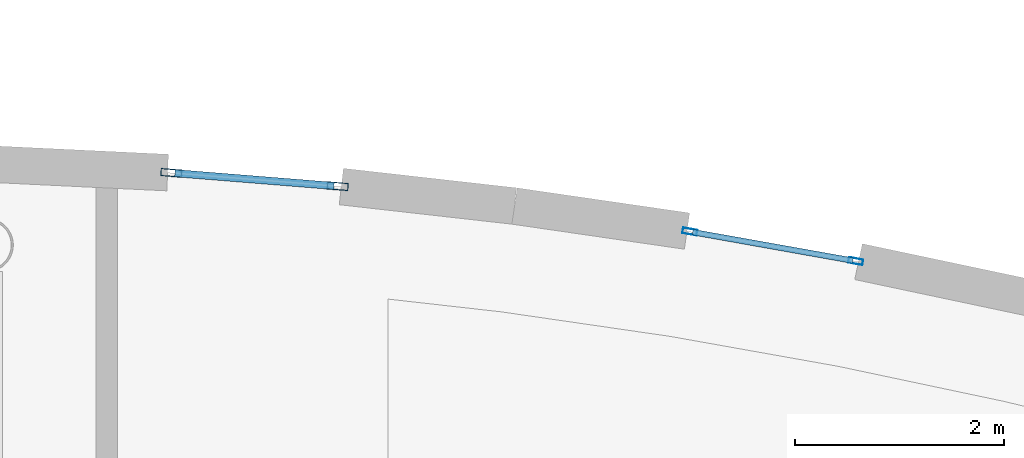
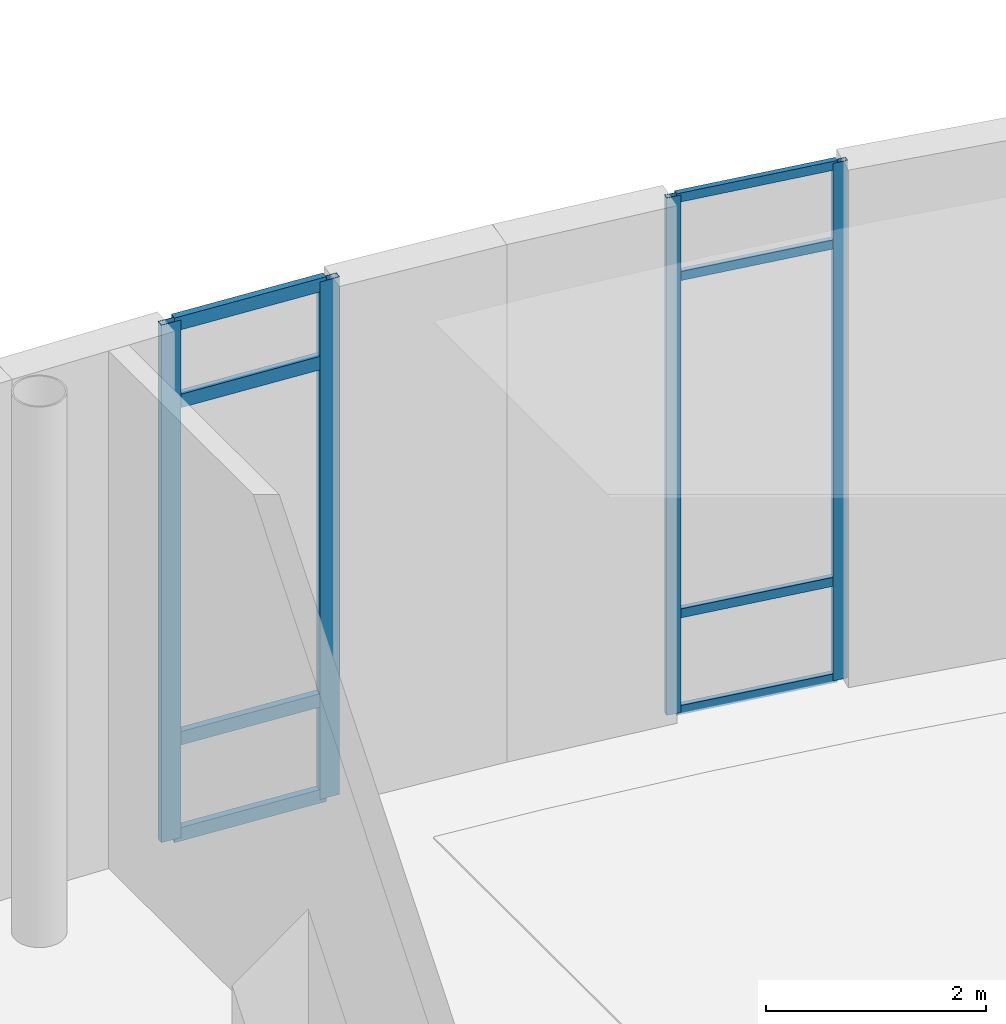
# One storey, part 25 of 85: 12 members, 2 elements without a shape of their own.
"""IFC4 building model written with IfcOpenShell, lengths in metres."""

from ifc_helpers import new_model, si_unit, direction, frame, origin, origin_2d, place, context, subcontext, project, spatial, hollow_rectangle, extrude, material, layer, layer_set, material_profile, profile_set, type_object, element, aggregate, save


model = new_model("IFC4")

# Units and contexts
model_context = context("Model", 3, precision=1e-05, world=origin(), true_north=direction((0.0, 1.0)))
body_context = subcontext(model_context, "Body", "Model", "MODEL_VIEW")
ifc_project = project(units=[si_unit("LENGTHUNIT", "METRE"), si_unit("AREAUNIT", "SQUARE_METRE"), si_unit("VOLUMEUNIT", "CUBIC_METRE"), si_unit("PLANEANGLEUNIT", "RADIAN"), si_unit("MASSUNIT", "GRAM", prefix="KILO"), si_unit("THERMODYNAMICTEMPERATUREUNIT", "KELVIN")], contexts=[model_context])

# Site, building, storey
site_placement = place(None, origin())
site = spatial("IfcSite", under=ifc_project, at=site_placement, CompositionType="ELEMENT")
building_placement = place(site_placement, origin())
building = spatial("IfcBuilding", under=site, at=building_placement, Name="Lustrewick Department Store", CompositionType="ELEMENT")
storey_placement = place(building_placement, origin())
storey = spatial("IfcBuildingStorey", under=building, at=storey_placement, Name="L01", CompositionType="ELEMENT", Elevation=0.0)

# Curtain wall, members
ifc_material = material(Name="Thermally broken aluminium 6063-T5", Category="aluminium")
ifc_layer_1 = layer(ifc_material, 0.199951171875, Name="Thermally broken aluminium 6063-T5")
ifc_layer_set_1 = layer_set([ifc_layer_1], Name="Thermally broken aluminium 6063-T5")
curtain_wall_type_1 = type_object("IfcCurtainWallType", Name="CW01", PredefinedType="NOTDEFINED", material=ifc_layer_set_1)
curtain_wall_1_placement = place(storey_placement, origin())
curtain_wall_1 = element("IfcCurtainWall", 1, at=curtain_wall_1_placement, inside=storey, type_object=curtain_wall_type_1, Name="L01 V4 Curtain Wall CW01", PredefinedType="NOTDEFINED")
ifc_material_profile_1 = material_profile(ifc_material, hollow_rectangle(XDim=0.070068359375, YDim=0.199951171875, WallThickness=0.00390625, at=origin_2d()), Name="ALU-M 70x200x4")
ifc_profile_set_1 = profile_set([ifc_material_profile_1], Name="Thermally broken aluminium 6063-T5")
member_type_1 = type_object("IfcMemberType", Name="CW01-M1", PredefinedType="MULLION", material=ifc_profile_set_1)
member_1_placement = place(storey_placement, frame((120.958251953125, 111.362548828125, 0.0), z_axis=(0.0, 0.0, 1.0), x_axis=(-0.08009096545, -0.996787558737, 0.0)))
member_1 = element("IfcMember", 2, at=member_1_placement, type_object=member_type_1, Name="CW01 mullion 1", PredefinedType="MULLION", context=body_context, shape_type="SweptSolid", body=[
    extrude(hollow_rectangle(XDim=0.070068359375, YDim=0.199951171875, WallThickness=0.00390625, at=origin_2d()), origin(), (0.0, 0.0, 1.0), 5.7451171875),
])
member_2_placement = place(storey_placement, frame((119.36669921875, 111.490478515625, 0.0), z_axis=(0.0, 0.0, 1.0), x_axis=(-0.08009096545, -0.996787558737, 0.0)))
member_2 = element("IfcMember", 3, at=member_2_placement, type_object=member_type_1, Name="CW01 mullion 2", PredefinedType="MULLION", context=body_context, shape_type="SweptSolid", body=[
    extrude(hollow_rectangle(XDim=0.070068359375, YDim=0.199951171875, WallThickness=0.00390625, at=origin_2d()), origin(), (0.0, 0.0, 1.0), 5.7451171875),
])
ifc_material_profile_2 = material_profile(ifc_material, hollow_rectangle(XDim=0.070068359375, YDim=0.14990234375, WallThickness=0.00390625, at=origin_2d()), Name="ALU-T 70x150x4")
ifc_profile_set_2 = profile_set([ifc_material_profile_2], Name="Thermally broken aluminium 6063-T5")
member_type_2 = type_object("IfcMemberType", Name="CW01-T1", PredefinedType="USERDEFINED", material=ifc_profile_set_2)
member_3_placement = place(storey_placement, frame((120.92333984375, 111.365234375, 0.034912109375), z_axis=(-0.996786233313, 0.080107459559, 0.0), x_axis=(-0.080107459559, -0.996786233313, 0.0)))
member_3 = element("IfcMember", 4, at=member_3_placement, type_object=member_type_2, Name="CW01 transom 1.1", ObjectType="TRANSOM", PredefinedType="USERDEFINED", context=body_context, shape_type="SweptSolid", body=[
    extrude(hollow_rectangle(XDim=0.070068359375, YDim=0.14990234375, WallThickness=0.00390625, at=origin_2d()), origin(), (0.0, 0.0, 1.0), 1.52685546875),
])
member_4_placement = place(storey_placement, frame((120.92333984375, 111.365234375, 1.10009765625), z_axis=(-0.996786233313, 0.080107459559, 0.0), x_axis=(-0.080107459559, -0.996786233313, 0.0)))
member_4 = element("IfcMember", 5, at=member_4_placement, type_object=member_type_2, Name="CW01 transom 1.2", ObjectType="TRANSOM", PredefinedType="USERDEFINED", context=body_context, shape_type="SweptSolid", body=[
    extrude(hollow_rectangle(XDim=0.070068359375, YDim=0.14990234375, WallThickness=0.00390625, at=origin_2d()), origin(), (0.0, 0.0, 1.0), 1.52685546875),
])
member_5_placement = place(storey_placement, frame((120.92333984375, 111.365234375, 4.844970703125), z_axis=(-0.996786233313, 0.080107459559, 0.0), x_axis=(-0.080107459559, -0.996786233313, 0.0)))
member_5 = element("IfcMember", 6, at=member_5_placement, type_object=member_type_2, Name="CW01 transom 1.3", ObjectType="TRANSOM", PredefinedType="USERDEFINED", context=body_context, shape_type="SweptSolid", body=[
    extrude(hollow_rectangle(XDim=0.070068359375, YDim=0.14990234375, WallThickness=0.00390625, at=origin_2d()), origin(), (0.0, 0.0, 1.0), 1.52685546875),
])
member_6_placement = place(storey_placement, frame((120.92333984375, 111.365234375, 5.7099609375), z_axis=(-0.996786233313, 0.080107459559, 0.0), x_axis=(-0.080107459559, -0.996786233313, 0.0)))
member_6 = element("IfcMember", 7, at=member_6_placement, type_object=member_type_2, Name="CW01 transom 1.4", ObjectType="TRANSOM", PredefinedType="USERDEFINED", context=body_context, shape_type="SweptSolid", body=[
    extrude(hollow_rectangle(XDim=0.070068359375, YDim=0.14990234375, WallThickness=0.00390625, at=origin_2d()), origin(), (0.0, 0.0, 1.0), 1.52685546875),
])
aggregate(curtain_wall_1, [member_1, member_2, member_3, member_4, member_5, member_6])

ifc_layer_2 = layer(ifc_material, 0.139892578125, Name="Thermally broken aluminium 6063-T5")
ifc_layer_set_2 = layer_set([ifc_layer_2], Name="Thermally broken aluminium 6063-T5")
curtain_wall_type_2 = type_object("IfcCurtainWallType", Name="CW15", PredefinedType="NOTDEFINED", material=ifc_layer_set_2)
curtain_wall_2_placement = place(storey_placement, origin())
curtain_wall_2 = element("IfcCurtainWall", 8, at=curtain_wall_2_placement, inside=storey, type_object=curtain_wall_type_2, Name="L01 V4 Curtain Wall CW15", PredefinedType="NOTDEFINED")
ifc_material_profile_3 = material_profile(ifc_material, hollow_rectangle(XDim=0.054931640625, YDim=0.139892578125, WallThickness=0.00341796875, at=origin_2d()), Name="ALU-M 55x140x3.5")
ifc_profile_set_3 = profile_set([ifc_material_profile_3], Name="Thermally broken aluminium 6063-T5")
member_type_3 = type_object("IfcMemberType", Name="CW15-M1", PredefinedType="MULLION", material=ifc_profile_set_3)
member_7_placement = place(storey_placement, frame((125.9130859375, 110.64599609375, 0.0), z_axis=(0.0, 0.0, 1.0), x_axis=(-0.175421024539, -0.984493506403, 0.0)))
member_7 = element("IfcMember", 9, at=member_7_placement, type_object=member_type_3, Name="CW15 mullion 1", PredefinedType="MULLION", context=body_context, shape_type="SweptSolid", body=[
    extrude(hollow_rectangle(XDim=0.054931640625, YDim=0.139892578125, WallThickness=0.00341796875, at=origin_2d()), origin(), (0.0, 0.0, 1.0), 5.7451171875),
])
member_8_placement = place(storey_placement, frame((124.326171875, 110.9287109375, 0.0), z_axis=(0.0, 0.0, 1.0), x_axis=(-0.175421024539, -0.984493506403, 0.0)))
member_8 = element("IfcMember", 10, at=member_8_placement, type_object=member_type_3, Name="CW15 mullion 2", PredefinedType="MULLION", context=body_context, shape_type="SweptSolid", body=[
    extrude(hollow_rectangle(XDim=0.054931640625, YDim=0.139892578125, WallThickness=0.00341796875, at=origin_2d()), origin(), (0.0, 0.0, 1.0), 5.7451171875),
])
ifc_material_profile_4 = material_profile(ifc_material, hollow_rectangle(XDim=0.054931640625, YDim=0.10009765625, WallThickness=0.0029296875, at=origin_2d()), Name="ALU-T 55x100x3")
ifc_profile_set_4 = profile_set([ifc_material_profile_4], Name="Thermally broken aluminium 6063-T5")
member_type_4 = type_object("IfcMemberType", Name="CW15-T1", PredefinedType="USERDEFINED", material=ifc_profile_set_4)
member_9_placement = place(storey_placement, frame((125.885986328125, 110.650634765625, 0.027587890625), z_axis=(-0.984483738171, 0.175475836734, 0.0), x_axis=(-0.175475836734, -0.984483738171, 0.0)))
member_9 = element("IfcMember", 11, at=member_9_placement, type_object=member_type_4, Name="CW15 transom 1.1", ObjectType="TRANSOM", PredefinedType="USERDEFINED", context=body_context, shape_type="SweptSolid", body=[
    extrude(hollow_rectangle(XDim=0.054931640625, YDim=0.10009765625, WallThickness=0.0029296875, at=origin_2d()), origin(), (0.0, 0.0, 1.0), 1.556884765625),
])
member_10_placement = place(storey_placement, frame((125.885986328125, 110.650634765625, 1.10009765625), z_axis=(-0.984483738171, 0.175475836734, 0.0), x_axis=(-0.175475836734, -0.984483738171, 0.0)))
member_10 = element("IfcMember", 12, at=member_10_placement, type_object=member_type_4, Name="CW15 transom 1.2", ObjectType="TRANSOM", PredefinedType="USERDEFINED", context=body_context, shape_type="SweptSolid", body=[
    extrude(hollow_rectangle(XDim=0.054931640625, YDim=0.10009765625, WallThickness=0.0029296875, at=origin_2d()), origin(), (0.0, 0.0, 1.0), 1.556884765625),
])
member_11_placement = place(storey_placement, frame((125.885986328125, 110.650634765625, 4.844970703125), z_axis=(-0.984483738171, 0.175475836734, 0.0), x_axis=(-0.175475836734, -0.984483738171, 0.0)))
member_11 = element("IfcMember", 13, at=member_11_placement, type_object=member_type_4, Name="CW15 transom 1.3", ObjectType="TRANSOM", PredefinedType="USERDEFINED", context=body_context, shape_type="SweptSolid", body=[
    extrude(hollow_rectangle(XDim=0.054931640625, YDim=0.10009765625, WallThickness=0.0029296875, at=origin_2d()), origin(), (0.0, 0.0, 1.0), 1.556884765625),
])
member_12_placement = place(storey_placement, frame((125.885986328125, 110.650634765625, 5.717529296875), z_axis=(-0.984483738171, 0.175475836734, 0.0), x_axis=(-0.175475836734, -0.984483738171, 0.0)))
member_12 = element("IfcMember", 14, at=member_12_placement, type_object=member_type_4, Name="CW15 transom 1.4", ObjectType="TRANSOM", PredefinedType="USERDEFINED", context=body_context, shape_type="SweptSolid", body=[
    extrude(hollow_rectangle(XDim=0.054931640625, YDim=0.10009765625, WallThickness=0.0029296875, at=origin_2d()), origin(), (0.0, 0.0, 1.0), 1.556884765625),
])
aggregate(curtain_wall_2, [member_7, member_8, member_9, member_10, member_11, member_12])

save(model, "model.ifc")
